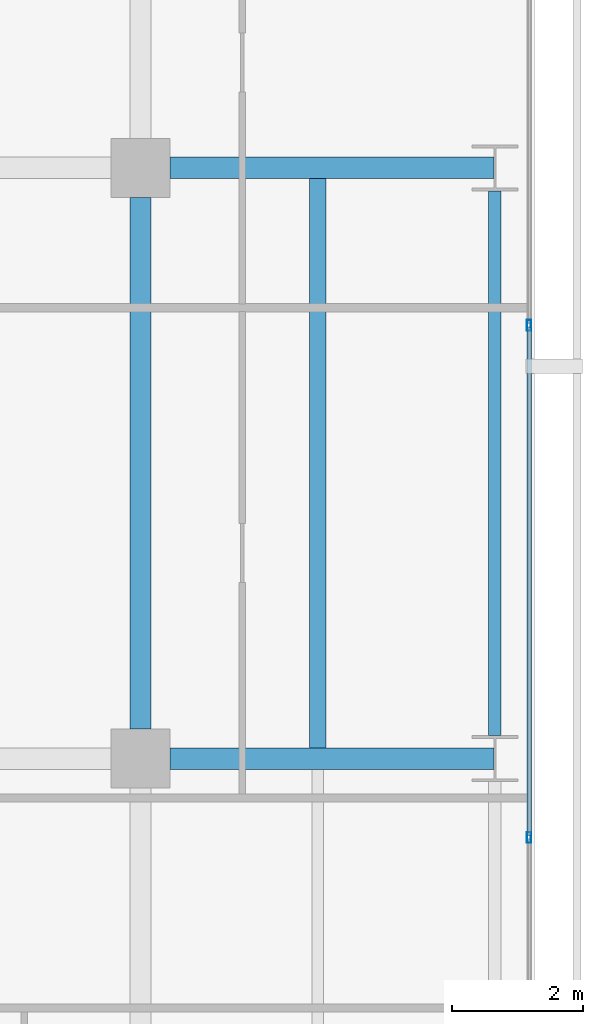
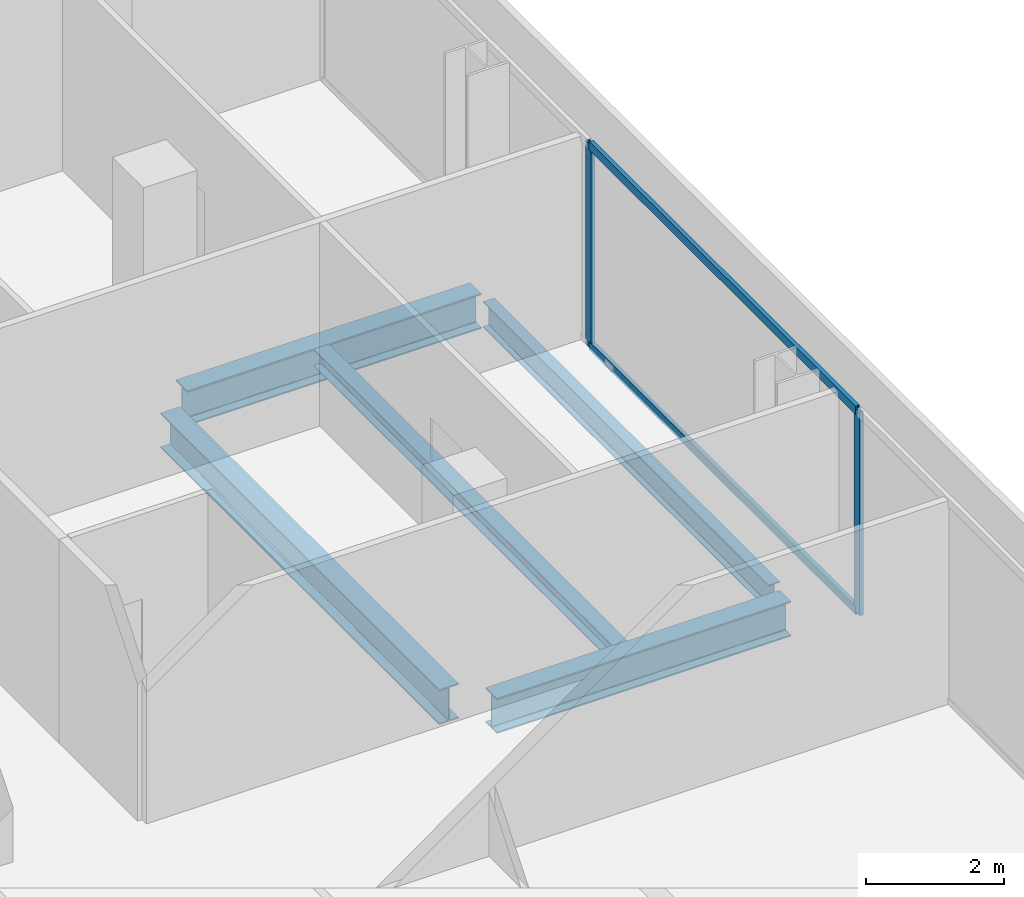
# One storey, part 28 of 40: 5 beams, 4 members, 1 element without a shape of its own.
"""IFC4 building model written with IfcOpenShell, lengths in metres."""

from ifc_helpers import new_model, si_unit, direction, frame, origin, origin_2d, place, context, subcontext, project, spatial, hollow_rectangle, i_section, extrude, material, layer, layer_set, material_profile, profile_set, type_object, element, aggregate, save


model = new_model("IFC4")

# Units and contexts
model_context = context("Model", 3, precision=1e-05, world=origin(), true_north=direction((0.0, 1.0)))
body_context = subcontext(model_context, "Body", "Model", "MODEL_VIEW")
ifc_project = project(units=[si_unit("LENGTHUNIT", "METRE"), si_unit("AREAUNIT", "SQUARE_METRE"), si_unit("VOLUMEUNIT", "CUBIC_METRE"), si_unit("PLANEANGLEUNIT", "RADIAN"), si_unit("MASSUNIT", "GRAM", prefix="KILO")], contexts=[model_context])

# Site, building, storey
site_placement = place(None, origin())
site = spatial("IfcSite", under=ifc_project, at=site_placement, CompositionType="ELEMENT")
building_placement = place(site_placement, origin())
building = spatial("IfcBuilding", under=site, at=building_placement, Name="Maruvema Waterfront Hotel and Observation Tower", CompositionType="ELEMENT")
storey_placement = place(building_placement, frame((0.0, 0.0, 42.35009765625)))
storey = spatial("IfcBuildingStorey", under=building, at=storey_placement, Name="L09", CompositionType="ELEMENT", Elevation=42.35009765625)

# Curtain wall, members
ifc_material_1 = material(Name="Anodised bronze aluminium and solar-control low-E IGU", Category="aluminium")
ifc_layer = layer(ifc_material_1, 0.159912109375, Name="Zone 1 Bronze Inner Thermal Curtain Wall System CW-02")
ifc_layer_set = layer_set([ifc_layer], Name="Anodised bronze aluminium and solar-control low-E IGU")
curtain_wall_type = type_object("IfcCurtainWallType", Name="Zone 1 Bronze Inner Thermal Curtain Wall System CW-02", PredefinedType="USERDEFINED", material=ifc_layer_set)
curtain_wall_placement = place(storey_placement, origin())
curtain_wall = element("IfcCurtainWall", 1, at=curtain_wall_placement, inside=storey, type_object=curtain_wall_type, Name="L09 Curtain Wall CW-L09-E", ObjectType="UNITISED CURTAIN WALL", PredefinedType="USERDEFINED")
ifc_material_2 = material(Name="Anodised architectural bronze aluminium", Category="aluminium")
ifc_material_profile_1 = material_profile(ifc_material_2, hollow_rectangle(XDim=0.070068359375, YDim=0.14990234375, WallThickness=0.00390625, at=origin_2d()), Name="ALU-T70x150")
ifc_profile_set_1 = profile_set([ifc_material_profile_1], Name="Anodised architectural bronze aluminium")
member_type_1 = type_object("IfcMemberType", Name="Curtain Wall Horizontal Transom ALU-T70x150", PredefinedType="USERDEFINED", material=ifc_profile_set_1)
member_1_placement = place(storey_placement, frame((64.719970703125, 34.830078125, 0.02978515625), z_axis=(0.0, 1.0, 0.0), x_axis=(-1.0, 0.0, 0.0)))
member_1 = element("IfcMember", 2, at=member_1_placement, type_object=member_type_1, Name="CW-02 transom 5.1", ObjectType="TRANSOM", PredefinedType="USERDEFINED", context=body_context, shape_type="SweptSolid", body=[
    extrude(hollow_rectangle(XDim=0.070068359375, YDim=0.14990234375, WallThickness=0.00390625, at=origin_2d()), origin(), (0.0, 0.0, 1.0), 7.739990234375),
])
member_2_placement = place(storey_placement, frame((64.719970703125, 34.830078125, 3.579833984375), z_axis=(0.0, 1.0, 0.0), x_axis=(-1.0, 0.0, 0.0)))
member_2 = element("IfcMember", 3, at=member_2_placement, type_object=member_type_1, Name="CW-02 transom 5.2", ObjectType="TRANSOM", PredefinedType="USERDEFINED", context=body_context, shape_type="SweptSolid", body=[
    extrude(hollow_rectangle(XDim=0.070068359375, YDim=0.14990234375, WallThickness=0.00390625, at=origin_2d()), origin(), (0.0, 0.0, 1.0), 7.739990234375),
])
ifc_material_3 = material(Name="Anodised architectural bronze aluminium", Category="aluminium")
ifc_material_profile_2 = material_profile(ifc_material_3, hollow_rectangle(XDim=0.06494140625, YDim=0.1650390625, WallThickness=0.00390625, at=origin_2d()), Name="ALU-M65x165")
ifc_profile_set_2 = profile_set([ifc_material_profile_2], Name="Anodised architectural bronze aluminium")
member_type_2 = type_object("IfcMemberType", Name="Curtain Wall Primary Mullion ALU-M65x165", PredefinedType="MULLION", material=ifc_profile_set_2)
member_3_placement = place(storey_placement, frame((64.719970703125, 34.800048828125, 0.0), z_axis=(0.0, 0.0, 1.0), x_axis=(-1.0, 0.0, 0.0)))
member_3 = element("IfcMember", 4, at=member_3_placement, type_object=member_type_2, Name="CW-02 mullion 5", PredefinedType="MULLION", context=body_context, shape_type="SweptSolid", body=[
    extrude(hollow_rectangle(XDim=0.06494140625, YDim=0.1650390625, WallThickness=0.00390625, at=origin_2d()), origin(), (0.0, 0.0, 1.0), 3.60986328125),
])
member_4_placement = place(storey_placement, frame((64.719970703125, 42.60009765625, 0.0), z_axis=(0.0, 0.0, 1.0), x_axis=(-1.0, 0.0, 0.0)))
member_4 = element("IfcMember", 5, at=member_4_placement, type_object=member_type_2, Name="CW-02 mullion 6", PredefinedType="MULLION", context=body_context, shape_type="SweptSolid", body=[
    extrude(hollow_rectangle(XDim=0.06494140625, YDim=0.1650390625, WallThickness=0.00390625, at=origin_2d()), origin(), (0.0, 0.0, 1.0), 3.60986328125),
])
aggregate(curtain_wall, [member_3, member_4, member_1, member_2])

# Beams
ifc_material_4 = material(Name="Steel ASTM A572 Grade 50", Category="steel")
ifc_material_profile_3 = material_profile(ifc_material_4, i_section(OverallWidth=0.18994140625, OverallDepth=0.45703125, WebThickness=0.009033203125, FlangeThickness=0.014404296875, FilletRadius=0.014892578125, at=origin_2d()), Name="W460x74.0")
ifc_profile_set_3 = profile_set([ifc_material_profile_3], Name="Steel ASTM A572 Grade 50")
beam_type_1 = type_object("IfcBeamType", Name="Perimeter Spandrel Beam W460x74.0", PredefinedType="SPANDREL", material=ifc_profile_set_3)
beam_1_placement = place(storey_placement, frame((64.199951171875, 36.35009765625, -0.468505859375), z_axis=(0.0, 1.0, 0.0), x_axis=(-1.0, 0.0, 0.0)))
element("IfcBeam", 6, at=beam_1_placement, inside=storey, type_object=beam_type_1, Name="L09 Floor Girder NS-36", PredefinedType="SPANDREL", context=body_context, shape_type="SweptSolid", body=[
    extrude(i_section(OverallWidth=0.18994140625, OverallDepth=0.45703125, WebThickness=0.009033203125, FlangeThickness=0.014404296875, FilletRadius=0.014892578125, at=origin_2d()), origin(), (0.0, 0.0, 1.0), 8.2998046875),
])
ifc_material_5 = material(Name="Steel ASTM A572 Grade 50", Category="steel")
ifc_material_profile_4 = material_profile(ifc_material_5, i_section(OverallWidth=0.326904296875, OverallDepth=0.6220703125, WebThickness=0.015380859375, FlangeThickness=0.0244140625, FilletRadius=0.01806640625, at=origin_2d()), Name="W610x195.0")
ifc_profile_set_4 = profile_set([ifc_material_profile_4], Name="Steel ASTM A572 Grade 50")
beam_type_2 = type_object("IfcBeamType", Name="Primary Floor Girder W610x195.0", PredefinedType="BEAM", material=ifc_profile_set_4)
for number, where, z_axis, x_axis, name in (
    (7, (59.25, 36.0, -0.551025390625), (1.0, 0.0, 0.0), (0.0, 1.0, 0.0), "L09 Floor Girder EW-31"),
    (8, (59.25, 45.0, -0.551025390625), (1.0, 0.0, 0.0), (0.0, 1.0, 0.0), "L09 Floor Girder EW-35"),
):
    element("IfcBeam", number, at=place(storey_placement, frame(where, z_axis=z_axis, x_axis=x_axis)), inside=storey, type_object=beam_type_2, Name=name, PredefinedType="BEAM", context=body_context, shape_type="SweptSolid", body=[
        extrude(i_section(OverallWidth=0.326904296875, OverallDepth=0.6220703125, WebThickness=0.015380859375, FlangeThickness=0.0244140625, FilletRadius=0.01806640625, at=origin_2d()), origin(), (0.0, 0.0, 1.0), 4.93603515625),
    ])
beam_2_placement = place(storey_placement, frame((58.800048828125, 36.449951171875, -0.551025390625), z_axis=(0.0, 1.0, 0.0), x_axis=(-1.0, 0.0, 0.0)))
element("IfcBeam", 9, at=beam_2_placement, inside=storey, type_object=beam_type_2, Name="L09 Floor Girder NS-31", PredefinedType="BEAM", context=body_context, shape_type="SweptSolid", body=[
    extrude(i_section(OverallWidth=0.326904296875, OverallDepth=0.6220703125, WebThickness=0.015380859375, FlangeThickness=0.0244140625, FilletRadius=0.01806640625, at=origin_2d()), origin(), (0.0, 0.0, 1.0), 8.10009765625),
])
ifc_material_6 = material(Name="Steel ASTM A572 Grade 50", Category="steel")
ifc_material_profile_5 = material_profile(ifc_material_6, i_section(OverallWidth=0.25390625, OverallDepth=0.305908203125, WebThickness=0.0087890625, FlangeThickness=0.0146484375, FilletRadius=0.014892578125, at=origin_2d()), Name="W310x79.0")
ifc_profile_set_5 = profile_set([ifc_material_profile_5], Name="Steel ASTM A572 Grade 50")
beam_type_3 = type_object("IfcBeamType", Name="Secondary Floor Joist W310x79.0", PredefinedType="JOIST", material=ifc_profile_set_5)
beam_3_placement = place(storey_placement, frame((61.5, 36.16357421875, -0.39306640625), z_axis=(0.0, 1.0, 0.0), x_axis=(-1.0, 0.0, 0.0)))
element("IfcBeam", 10, at=beam_3_placement, inside=storey, type_object=beam_type_3, Name="L09 Secondary Floor Joist JS-24", PredefinedType="JOIST", context=body_context, shape_type="SweptSolid", body=[
    extrude(i_section(OverallWidth=0.25390625, OverallDepth=0.305908203125, WebThickness=0.0087890625, FlangeThickness=0.0146484375, FilletRadius=0.014892578125, at=origin_2d()), origin(), (0.0, 0.0, 1.0), 8.6728515625),
])

save(model, "model.ifc")
